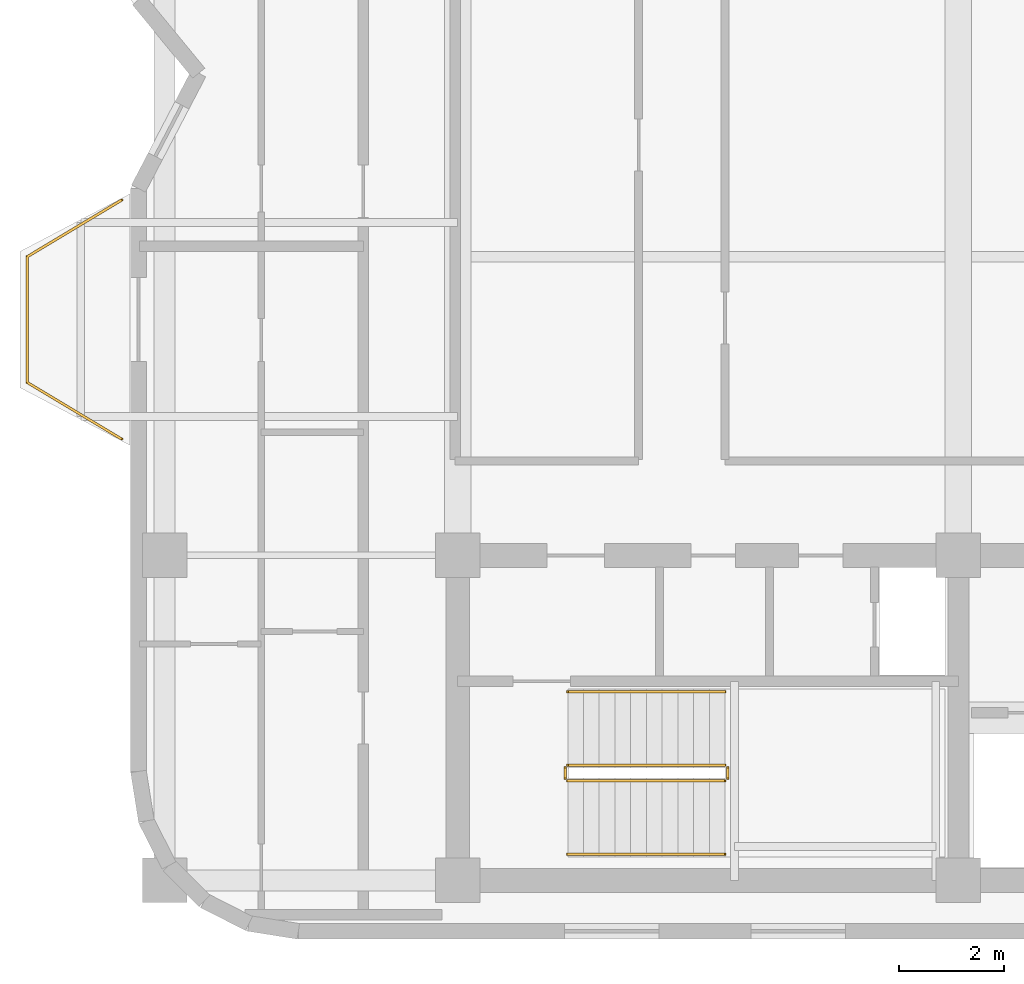
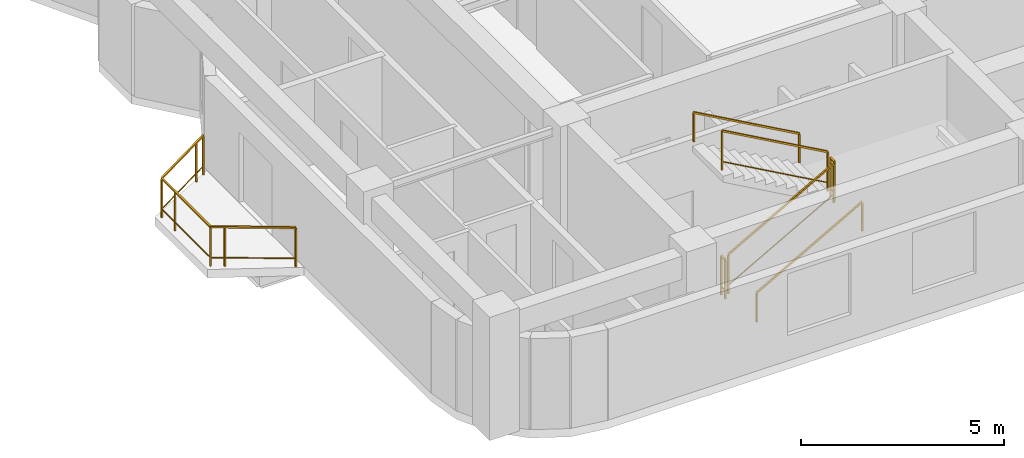
# One storey, part 8 of 9: 7 railings.
"""IFC4 building model written with IfcOpenShell, lengths in metres."""

from ifc_helpers import new_model, si_unit, direction, frame, origin, origin_2d, place, context, subcontext, project, spatial, rectangle, extrude, material, type_object, element, save


model = new_model("IFC4")

# Units and contexts
model_context = context("Model", 3, precision=1e-05, world=origin(), true_north=direction((0.0, 1.0)))
body_context = subcontext(model_context, "Body", "Model", "MODEL_VIEW")
ifc_project = project(units=[si_unit("LENGTHUNIT", "METRE"), si_unit("AREAUNIT", "SQUARE_METRE"), si_unit("VOLUMEUNIT", "CUBIC_METRE"), si_unit("PLANEANGLEUNIT", "RADIAN"), si_unit("MASSUNIT", "GRAM", prefix="KILO")], contexts=[model_context])

# Site, building, storey
site_placement = place(None, origin())
site = spatial("IfcSite", under=ifc_project, at=site_placement, CompositionType="ELEMENT")
building_placement = place(site_placement, origin())
building = spatial("IfcBuilding", under=site, at=building_placement, Name="Svetorya Sky Lyceum", CompositionType="ELEMENT")
storey_placement = place(building_placement, frame((0.0, 0.0, 240.60009765625)))
storey = spatial("IfcBuildingStorey", under=building, at=storey_placement, Name="L60", CompositionType="ELEMENT", Elevation=240.60009765625)

# Railings
ifc_material_1 = material(Name="Laminated safety glass and stainless AISI 316", Category="glass")
railing_type_1 = type_object("IfcRailingType", Name="RL-BAL-1200", PredefinedType="BALUSTRADE", material=ifc_material_1)
railing_1_placement = place(storey_placement, frame((19.18994140625, 19.02001953125, 0.0)))
element("IfcRailing", 1, at=railing_1_placement, inside=storey, type_object=railing_type_1, Name="L60 Balcony Balustrade BAL-W1", PredefinedType="BALUSTRADE", context=body_context, shape_type="SweptSolid", body=[
    extrude(rectangle(XDim=0.048095703125, YDim=0.048095703125, at=origin_2d()), frame((0.0, 0.0, 1.17578125), z_axis=(-0.857482663744, 0.514512858321, 0.0), x_axis=(-0.514512858321, -0.857482663744, 0.0)), (0.0, 0.0, 1.0), 2.09912109375),
    extrude(rectangle(XDim=0.02392578125, YDim=0.02392578125, at=origin_2d()), frame((0.0, 0.0, 0.25), z_axis=(-0.857482663744, 0.514512858321, 0.0), x_axis=(-0.514512858321, -0.857482663744, 0.0)), (0.0, 0.0, 1.0), 2.09912109375),
    extrude(rectangle(XDim=0.048095703125, YDim=0.048095703125, at=origin_2d()), frame((-1.800048828125, 1.080078125, 1.17578125), z_axis=(0.0, 1.0, 0.0), x_axis=(-1.0, 0.0, 0.0)), (0.0, 0.0, 1.0), 2.39990234375),
    extrude(rectangle(XDim=0.02392578125, YDim=0.02392578125, at=origin_2d()), frame((-1.800048828125, 1.080078125, 0.25), z_axis=(0.0, 1.0, 0.0), x_axis=(-1.0, 0.0, 0.0)), (0.0, 0.0, 1.0), 2.39990234375),
    extrude(rectangle(XDim=0.048095703125, YDim=0.048095703125, at=origin_2d()), frame((-1.800048828125, 3.47998046875, 1.17578125), z_axis=(0.857482663744, 0.514512858321, 0.0), x_axis=(-0.514512858321, 0.857482663744, 0.0)), (0.0, 0.0, 1.0), 2.09912109375),
    extrude(rectangle(XDim=0.02392578125, YDim=0.02392578125, at=origin_2d()), frame((-1.800048828125, 3.47998046875, 0.25), z_axis=(0.857482663744, 0.514512858321, 0.0), x_axis=(-0.514512858321, 0.857482663744, 0.0)), (0.0, 0.0, 1.0), 2.09912109375),
    extrude(rectangle(XDim=0.0419921875, YDim=0.0419921875, at=origin_2d()), origin(), (0.0, 0.0, 1.0), 1.15185546875),
    extrude(rectangle(XDim=0.0419921875, YDim=0.0419921875, at=origin_2d()), frame((-1.50048828125, 0.900390625, 0.0)), (0.0, 0.0, 1.0), 1.15185546875),
    extrude(rectangle(XDim=0.0419921875, YDim=0.0419921875, at=origin_2d()), frame((-1.800048828125, 1.080078125, 0.0)), (0.0, 0.0, 1.0), 1.15185546875),
    extrude(rectangle(XDim=0.0419921875, YDim=0.0419921875, at=origin_2d()), frame((-1.800048828125, 2.830078125, 0.0)), (0.0, 0.0, 1.0), 1.15185546875),
    extrude(rectangle(XDim=0.0419921875, YDim=0.0419921875, at=origin_2d()), frame((-1.800048828125, 3.47998046875, 0.0)), (0.0, 0.0, 1.0), 1.15185546875),
    extrude(rectangle(XDim=0.0419921875, YDim=0.0419921875, at=origin_2d()), frame((-0.299560546875, 4.38037109375, 0.0)), (0.0, 0.0, 1.0), 1.15185546875),
    extrude(rectangle(XDim=0.0419921875, YDim=0.0419921875, at=origin_2d()), frame((0.0, 4.56005859375, 0.0)), (0.0, 0.0, 1.0), 1.15185546875),
])
ifc_material_2 = material(Name="Painted galvanized stair well guard")
railing_type_2 = type_object("IfcRailingType", Name="RL-STR-GUARD-1200", PredefinedType="GUARDRAIL", material=ifc_material_2)
railing_2_placement = place(storey_placement, frame((27.699951171875, 12.5, 0.16796875)))
element("IfcRailing", 2, at=railing_2_placement, inside=storey, type_object=railing_type_2, Name="L60 ST-S stair guard 1", PredefinedType="GUARDRAIL", context=body_context, shape_type="SweptSolid", body=[
    extrude(rectangle(XDim=0.048095703125, YDim=0.048095703125, at=origin_2d()), frame((0.0, 0.0, 1.17578125), z_axis=(0.872272294576, 0.0, 0.489020494575), x_axis=(0.0, 1.0, 0.0)), (0.0, 0.0, 1.0), 3.439208984375),
    extrude(rectangle(XDim=0.02392578125, YDim=0.02392578125, at=origin_2d()), frame((0.0, 0.0, 0.25), z_axis=(0.872272294576, 0.0, 0.489020494575), x_axis=(0.0, 1.0, 0.0)), (0.0, 0.0, 1.0), 3.439208984375),
    extrude(rectangle(XDim=0.0419921875, YDim=0.0419921875, at=origin_2d()), origin(), (0.0, 0.0, 1.0), 1.15185546875),
    extrude(rectangle(XDim=0.0419921875, YDim=0.0419921875, at=origin_2d()), frame((3.0, 0.0, 1.681884765625)), (0.0, 0.0, 1.0), 1.15185546875),
])
railing_3_placement = place(storey_placement, frame((30.75, 12.550048828125, 1.849853515625)))
element("IfcRailing", 3, at=railing_3_placement, inside=storey, type_object=railing_type_2, Name="L60 ST-S stair guard 2", PredefinedType="GUARDRAIL", context=body_context, shape_type="SweptSolid", body=[
    extrude(rectangle(XDim=0.048095703125, YDim=0.048095703125, at=origin_2d()), frame((0.0, 0.0, 1.17578125), z_axis=(0.0, 1.0, 0.0), x_axis=(-1.0, 0.0, 0.0)), (0.0, 0.0, 1.0), 0.199951171875),
    extrude(rectangle(XDim=0.02392578125, YDim=0.02392578125, at=origin_2d()), frame((0.0, 0.0, 0.25), z_axis=(0.0, 1.0, 0.0), x_axis=(-1.0, 0.0, 0.0)), (0.0, 0.0, 1.0), 0.199951171875),
    extrude(rectangle(XDim=0.0419921875, YDim=0.0419921875, at=origin_2d()), origin(), (0.0, 0.0, 1.0), 1.15185546875),
    extrude(rectangle(XDim=0.0419921875, YDim=0.0419921875, at=origin_2d()), frame((0.0, 0.199951171875, 0.0)), (0.0, 0.0, 1.0), 1.15185546875),
])
railing_4_placement = place(storey_placement, frame((30.699951171875, 12.800048828125, 2.01806640625)))
element("IfcRailing", 4, at=railing_4_placement, inside=storey, type_object=railing_type_2, Name="L60 ST-S stair guard 3", PredefinedType="GUARDRAIL", context=body_context, shape_type="SweptSolid", body=[
    extrude(rectangle(XDim=0.048095703125, YDim=0.048095703125, at=origin_2d()), frame((0.0, 0.0, 1.17578125), z_axis=(-0.872272294576, 0.0, 0.489020494575), x_axis=(0.0, -1.0, 0.0)), (0.0, 0.0, 1.0), 3.439208984375),
    extrude(rectangle(XDim=0.02392578125, YDim=0.02392578125, at=origin_2d()), frame((0.0, 0.0, 0.25), z_axis=(-0.872272294576, 0.0, 0.489020494575), x_axis=(0.0, -1.0, 0.0)), (0.0, 0.0, 1.0), 3.439208984375),
    extrude(rectangle(XDim=0.0419921875, YDim=0.0419921875, at=origin_2d()), origin(), (0.0, 0.0, 1.0), 1.15185546875),
    extrude(rectangle(XDim=0.0419921875, YDim=0.0419921875, at=origin_2d()), frame((-3.0, 0.0, 1.681884765625)), (0.0, 0.0, 1.0), 1.15185546875),
])
railing_5_placement = place(storey_placement, frame((27.64990234375, 12.550048828125, 0.0)))
element("IfcRailing", 5, at=railing_5_placement, inside=storey, type_object=railing_type_2, Name="L60 ST-S stair guard 4", PredefinedType="GUARDRAIL", context=body_context, shape_type="SweptSolid", body=[
    extrude(rectangle(XDim=0.048095703125, YDim=0.048095703125, at=origin_2d()), frame((0.0, 0.0, 1.17578125), z_axis=(0.0, 1.0, 0.0), x_axis=(-1.0, 0.0, 0.0)), (0.0, 0.0, 1.0), 0.199951171875),
    extrude(rectangle(XDim=0.02392578125, YDim=0.02392578125, at=origin_2d()), frame((0.0, 0.0, 0.25), z_axis=(0.0, 1.0, 0.0), x_axis=(-1.0, 0.0, 0.0)), (0.0, 0.0, 1.0), 0.199951171875),
    extrude(rectangle(XDim=0.0419921875, YDim=0.0419921875, at=origin_2d()), origin(), (0.0, 0.0, 1.0), 1.15185546875),
    extrude(rectangle(XDim=0.0419921875, YDim=0.0419921875, at=origin_2d()), frame((0.0, 0.199951171875, 0.0)), (0.0, 0.0, 1.0), 1.15185546875),
])
ifc_material_3 = material(Name="Brushed stainless AISI 304 stair handrail")
railing_type_3 = type_object("IfcRailingType", Name="RL-STR-HAND-920", PredefinedType="HANDRAIL", material=ifc_material_3)
railing_6_placement = place(storey_placement, frame((27.699951171875, 11.10009765625, 0.16796875)))
element("IfcRailing", 6, at=railing_6_placement, inside=storey, type_object=railing_type_3, Name="L60 ST-S stair handrail 1", PredefinedType="HANDRAIL", context=body_context, shape_type="SweptSolid", body=[
    extrude(rectangle(XDim=0.048095703125, YDim=0.048095703125, at=origin_2d()), frame((0.0, 0.0, 0.8759765625), z_axis=(0.872272294576, 0.0, 0.489020494575), x_axis=(0.0, 1.0, 0.0)), (0.0, 0.0, 1.0), 3.439208984375),
    extrude(rectangle(XDim=0.0419921875, YDim=0.0419921875, at=origin_2d()), origin(), (0.0, 0.0, 1.0), 0.851806640625),
    extrude(rectangle(XDim=0.0419921875, YDim=0.0419921875, at=origin_2d()), frame((3.0, 0.0, 1.681884765625)), (0.0, 0.0, 1.0), 0.851806640625),
])
railing_7_placement = place(storey_placement, frame((30.699951171875, 14.199951171875, 2.01806640625)))
element("IfcRailing", 7, at=railing_7_placement, inside=storey, type_object=railing_type_3, Name="L60 ST-S stair handrail 2", PredefinedType="HANDRAIL", context=body_context, shape_type="SweptSolid", body=[
    extrude(rectangle(XDim=0.048095703125, YDim=0.048095703125, at=origin_2d()), frame((0.0, 0.0, 0.8759765625), z_axis=(-0.872272294576, 0.0, 0.489020494575), x_axis=(0.0, -1.0, 0.0)), (0.0, 0.0, 1.0), 3.439208984375),
    extrude(rectangle(XDim=0.0419921875, YDim=0.0419921875, at=origin_2d()), origin(), (0.0, 0.0, 1.0), 0.851806640625),
    extrude(rectangle(XDim=0.0419921875, YDim=0.0419921875, at=origin_2d()), frame((-3.0, 0.0, 1.681884765625)), (0.0, 0.0, 1.0), 0.851806640625),
])

save(model, "model.ifc")
